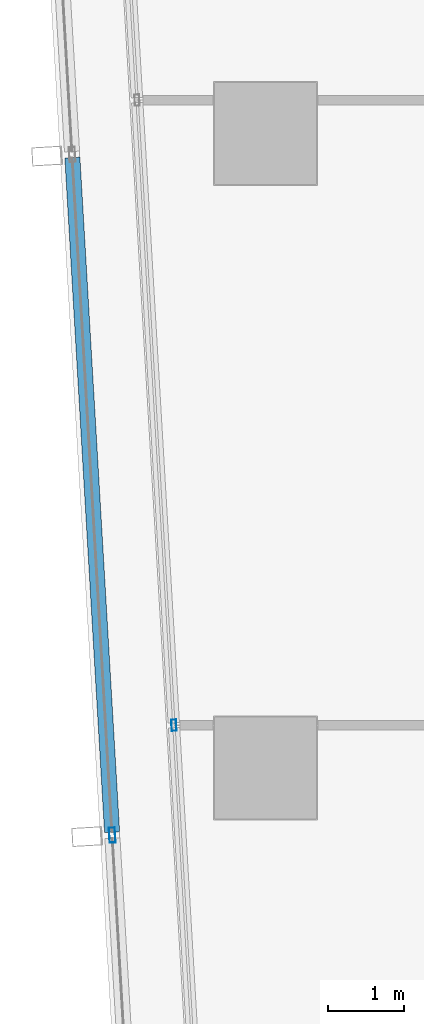
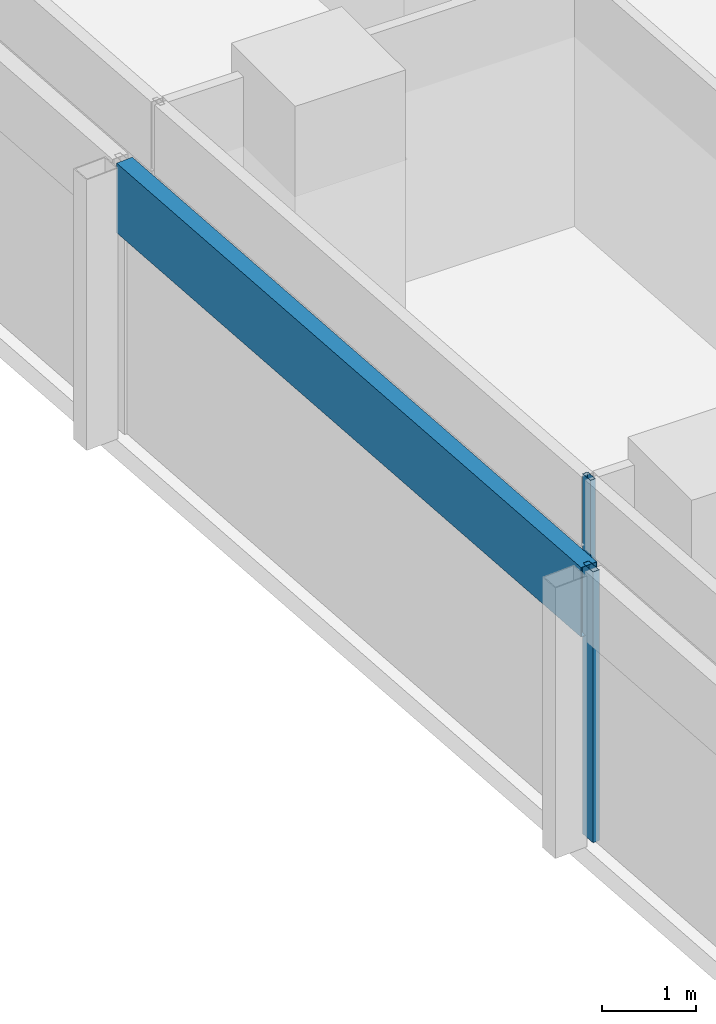
# One storey, part 5 of 38: 3 members, 2 elements without a shape of their own.
"""IFC4 building model written with IfcOpenShell, lengths in metres."""

from ifc_helpers import new_model, si_unit, direction, frame, origin, origin_2d, place, context, subcontext, project, spatial, hollow_rectangle, extrude, material, material_profile, profile_set, type_object, element, aggregate, save


model = new_model("IFC4")

# Units and contexts
model_context = context("Model", 3, precision=1e-05, world=origin(), true_north=direction((0.0, 1.0)))
body_context = subcontext(model_context, "Body", "Model", "MODEL_VIEW")
ifc_project = project(units=[si_unit("LENGTHUNIT", "METRE"), si_unit("AREAUNIT", "SQUARE_METRE"), si_unit("VOLUMEUNIT", "CUBIC_METRE"), si_unit("PLANEANGLEUNIT", "RADIAN"), si_unit("MASSUNIT", "GRAM", prefix="KILO")], contexts=[model_context])

# Site, building, storey
site_placement = place(None, origin())
site = spatial("IfcSite", under=ifc_project, at=site_placement, CompositionType="ELEMENT")
building_placement = place(site_placement, origin())
building = spatial("IfcBuilding", under=site, at=building_placement, Name="Rekha Terrace Tower", CompositionType="ELEMENT")
storey_placement = place(building_placement, frame((0.0, 0.0, 195.199951171875)))
storey = spatial("IfcBuildingStorey", under=building, at=storey_placement, Name="L49", CompositionType="ELEMENT", Elevation=195.199951171875)

# Curtain wall, member
ifc_material_1 = material(Name="Aluminium framing", Category="aluminium")
curtain_wall_type_1 = type_object("IfcCurtainWallType", Name="CW1 double skin inner glazing", PredefinedType="USERDEFINED", material=ifc_material_1)
curtain_wall_1_placement = place(storey_placement, origin())
curtain_wall_1 = element("IfcCurtainWall", 1, at=curtain_wall_1_placement, inside=storey, type_object=curtain_wall_type_1, Name="CW1 double skin inner glazing", ObjectType="DOUBLE SKIN INNER GLAZING", PredefinedType="USERDEFINED")
ifc_material_2 = material(Name="Aluminium mullion section", Category="aluminium")
ifc_material_profile_1 = material_profile(ifc_material_2, hollow_rectangle(XDim=0.06494140625, YDim=0.14990234375, WallThickness=0.00390625, at=origin_2d()), Name="AL RHS 65x150")
ifc_profile_set_1 = profile_set([ifc_material_profile_1], Name="Aluminium mullion section")
member_type_1 = type_object("IfcMemberType", Name="CW1 mullion RHS 65 x 150", PredefinedType="MULLION", material=ifc_profile_set_1)
member_1_placement = place(storey_placement, frame((7.18701171875, 25.76611328125, 0.0), z_axis=(0.0, 0.0, 1.0), x_axis=(0.998271839269, 0.058765082516, 0.0)))
member_1 = element("IfcMember", 2, at=member_1_placement, type_object=member_type_1, Name="CW1 mullion 3", PredefinedType="MULLION", context=body_context, shape_type="SweptSolid", body=[
    extrude(hollow_rectangle(XDim=0.06494140625, YDim=0.14990234375, WallThickness=0.00390625, at=origin_2d()), origin(), (0.0, 0.0, 1.0), 3.5),
])
aggregate(curtain_wall_1, [member_1])

# Curtain wall, members
curtain_wall_type_2 = type_object("IfcCurtainWallType", Name="CW2 double skin outer glazing", PredefinedType="USERDEFINED", material=ifc_material_1)
curtain_wall_2_placement = place(storey_placement, origin())
curtain_wall_2 = element("IfcCurtainWall", 3, at=curtain_wall_2_placement, inside=storey, type_object=curtain_wall_type_2, Name="CW2 double skin outer glazing", ObjectType="DOUBLE SKIN OUTER GLAZING", PredefinedType="USERDEFINED")
ifc_material_profile_2 = material_profile(ifc_material_2, hollow_rectangle(XDim=0.080078125, YDim=0.199951171875, WallThickness=0.00390625, at=origin_2d()), Name="AL RHS 80x200")
ifc_profile_set_2 = profile_set([ifc_material_profile_2], Name="Aluminium mullion section")
member_type_2 = type_object("IfcMemberType", Name="CW2 mullion RHS 80 x 200", PredefinedType="MULLION", material=ifc_profile_set_2)
member_2_placement = place(storey_placement, frame((6.370849609375, 24.31201171875, 0.0), z_axis=(0.0, 0.0, 1.0), x_axis=(0.99827183927, 0.058765082499, 0.0)))
member_2 = element("IfcMember", 4, at=member_2_placement, type_object=member_type_2, Name="CW2 mullion 3", PredefinedType="MULLION", context=body_context, shape_type="SweptSolid", body=[
    extrude(hollow_rectangle(XDim=0.080078125, YDim=0.199951171875, WallThickness=0.00390625, at=origin_2d()), origin(), (0.0, 0.0, 1.0), 3.5),
])
ifc_material_3 = material(Name="Insulated aluminium spandrel box", Category="aluminium")
ifc_material_profile_3 = material_profile(ifc_material_3, hollow_rectangle(XDim=0.199951171875, YDim=0.89990234375, WallThickness=0.0029296875, at=origin_2d()), Name="AL SPANDREL BOX 200x900")
ifc_profile_set_3 = profile_set([ifc_material_profile_3], Name="Insulated aluminium spandrel box")
member_type_3 = type_object("IfcMemberType", Name="CW2 spandrel transom 200 x 900", PredefinedType="USERDEFINED", material=ifc_profile_set_3)
member_3_placement = place(storey_placement, frame((5.843017578125, 33.27978515625, 3.050048828125), z_axis=(0.058773229711, -0.998271359636, 0.0), x_axis=(0.998271359636, 0.058773229711, 0.0)))
member_3 = element("IfcMember", 5, at=member_3_placement, type_object=member_type_3, Name="CW2 spandrel transom 2", ObjectType="TRANSOM", PredefinedType="USERDEFINED", context=body_context, shape_type="SweptSolid", body=[
    extrude(hollow_rectangle(XDim=0.199951171875, YDim=0.89990234375, WallThickness=0.0029296875, at=origin_2d()), origin(), (0.0, 0.0, 1.0), 8.943359375),
])
aggregate(curtain_wall_2, [member_2, member_3])

save(model, "model.ifc")
